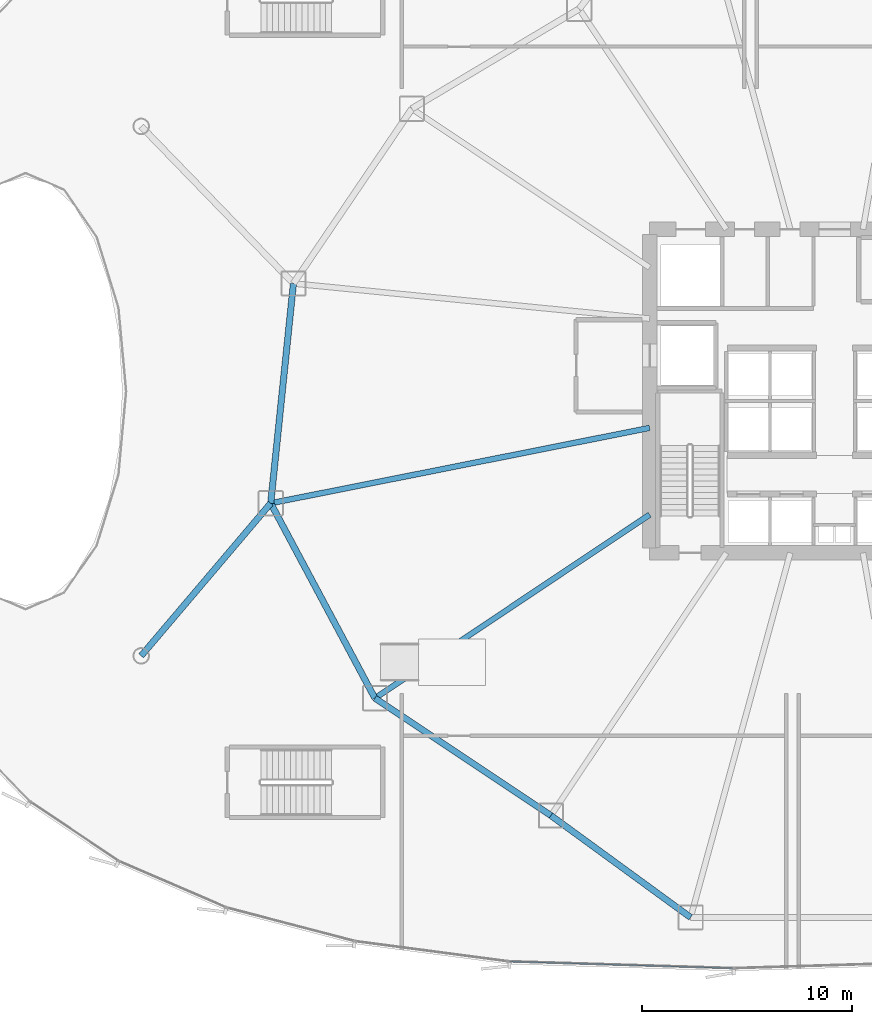
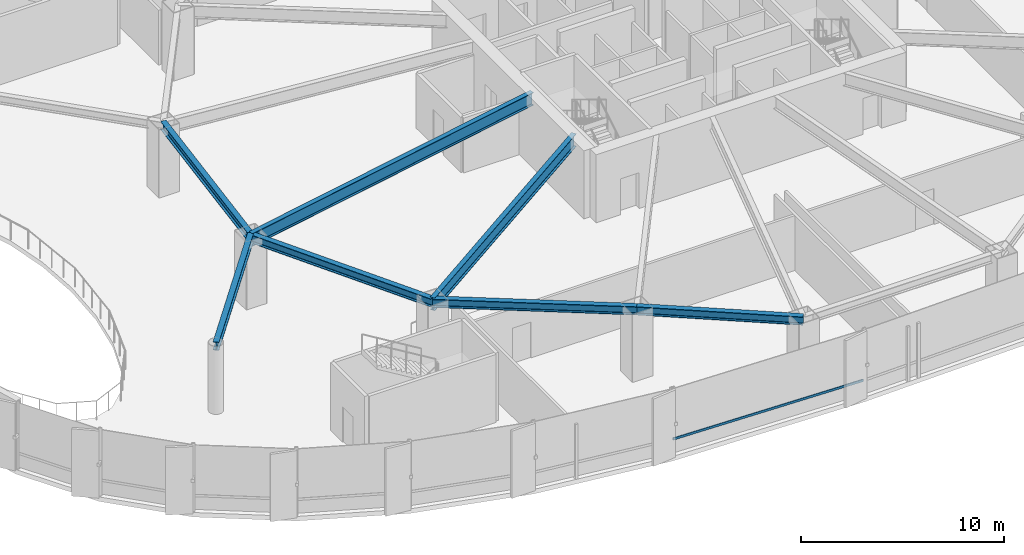
# One storey, part 5 of 34: 7 beams, 1 member, 1 element without a shape of its own.
"""IFC4 building model written with IfcOpenShell, lengths in metres."""

from ifc_helpers import new_model, si_unit, direction, frame, origin, origin_2d, place, context, subcontext, project, spatial, hollow_rectangle, i_section, extrude, source, transform, mapped, material, layer, layer_set, material_profile, profile_set, type_object, element, aggregate, save


model = new_model("IFC4")

# Units and contexts
model_context = context("Model", 3, precision=1e-05, world=origin(), true_north=direction((0.0, 1.0)))
body_context = subcontext(model_context, "Body", "Model", "MODEL_VIEW")
ifc_project = project(units=[si_unit("LENGTHUNIT", "METRE"), si_unit("AREAUNIT", "SQUARE_METRE"), si_unit("VOLUMEUNIT", "CUBIC_METRE"), si_unit("PLANEANGLEUNIT", "RADIAN"), si_unit("MASSUNIT", "GRAM", prefix="KILO"), si_unit("THERMODYNAMICTEMPERATUREUNIT", "KELVIN")], contexts=[model_context])

# Site, building, storey
site_placement = place(None, origin())
site = spatial("IfcSite", under=ifc_project, at=site_placement, CompositionType="ELEMENT")
building_placement = place(site_placement, origin())
building = spatial("IfcBuilding", under=site, at=building_placement, Name="Kethvar Cultural Tower", CompositionType="ELEMENT")
storey_placement = place(building_placement, frame((0.0, 0.0, 19.60009765625)))
storey = spatial("IfcBuildingStorey", under=building, at=storey_placement, Name="L04", CompositionType="ELEMENT", Elevation=19.60009765625)

# Beams
ifc_material_1 = material(Name="Steel S355J2", Category="steel")
ifc_material_profile_1 = material_profile(ifc_material_1, i_section(OverallWidth=0.300048828125, OverallDepth=0.5, WebThickness=0.014404296875, FlangeThickness=0.028076171875, FilletRadius=0.027099609375, at=origin_2d()), Name="Steel S355J2 — HEB500")
ifc_profile_set_1 = profile_set([ifc_material_profile_1], Name="Steel S355J2 — HEB500")
beam_type_1 = type_object("IfcBeamType", Name="BM-SP500", PredefinedType="SPANDREL", material=ifc_profile_set_1)
shared_shape_1 = source(origin(), body_context, "Body", "SweptSolid", [
    extrude(i_section(OverallWidth=0.300048828125, OverallDepth=0.5, WebThickness=0.014404296875, FlangeThickness=0.028076171875, FilletRadius=0.027099609375, at=origin_2d()), origin(), (0.0, 0.0, 1.0), 10.515869140625),
])
beam_1_placement = place(storey_placement, frame((21.047119140625, 32.922607421875, 3.827880859375), z_axis=(-0.102824694973, -0.994699493367, 0.0), x_axis=(0.994699493367, -0.102824694973, 0.0)))
element("IfcBeam", 1, at=beam_1_placement, inside=storey, type_object=beam_type_1, Name="L04 Podium Ring Beam 08", PredefinedType="SPANDREL", context=body_context, shape_type="MappedRepresentation", body=[
    mapped(shared_shape_1, transform((0.0, 0.0, 0.0), scale=1.0)),
])
shared_shape_2 = source(origin(), body_context, "Body", "SweptSolid", [
    extrude(i_section(OverallWidth=0.300048828125, OverallDepth=0.5, WebThickness=0.014404296875, FlangeThickness=0.028076171875, FilletRadius=0.027099609375, at=origin_2d()), origin(), (0.0, 0.0, 1.0), 10.52099609375),
])
beam_2_placement = place(storey_placement, frame((19.9658203125, 22.46240234375, 3.827880859375), z_axis=(0.471339616984, -0.881951793162, 0.0), x_axis=(0.881951793162, 0.471339616984, 0.0)))
element("IfcBeam", 2, at=beam_2_placement, inside=storey, type_object=beam_type_1, Name="L04 Podium Ring Beam 09", PredefinedType="SPANDREL", context=body_context, shape_type="MappedRepresentation", body=[
    mapped(shared_shape_2, transform((0.0, 0.0, 0.0), scale=1.0)),
])
shared_shape_3 = source(origin(), body_context, "Body", "SweptSolid", [
    extrude(i_section(OverallWidth=0.300048828125, OverallDepth=0.5, WebThickness=0.014404296875, FlangeThickness=0.028076171875, FilletRadius=0.027099609375, at=origin_2d()), origin(), (0.0, 0.0, 1.0), 10.06787109375),
])
beam_3_placement = place(storey_placement, frame((24.9248046875, 13.183349609375, 3.827880859375), z_axis=(0.832065216665, -0.554677812083, 0.0), x_axis=(0.554677812083, 0.832065216665, 0.0)))
element("IfcBeam", 3, at=beam_3_placement, inside=storey, type_object=beam_type_1, Name="L04 Podium Ring Beam 10", PredefinedType="SPANDREL", context=body_context, shape_type="MappedRepresentation", body=[
    mapped(shared_shape_3, transform((0.0, 0.0, 0.0), scale=1.0)),
])
shared_shape_4 = source(origin(), body_context, "Body", "SweptSolid", [
    extrude(i_section(OverallWidth=0.300048828125, OverallDepth=0.5, WebThickness=0.014404296875, FlangeThickness=0.028076171875, FilletRadius=0.027099609375, at=origin_2d()), origin(), (0.0, 0.0, 1.0), 8.228515625),
])
beam_4_placement = place(storey_placement, frame((33.302001953125, 7.598876953125, 3.827880859375), z_axis=(0.807925716462, -0.589284342808, 0.0), x_axis=(0.589284342808, 0.807925716462, 0.0)))
element("IfcBeam", 4, at=beam_4_placement, inside=storey, type_object=beam_type_1, Name="L04 Podium Ring Beam 11", PredefinedType="SPANDREL", context=body_context, shape_type="MappedRepresentation", body=[
    mapped(shared_shape_4, transform((0.0, 0.0, 0.0), scale=1.0)),
])
shared_shape_5 = source(origin(), body_context, "Body", "SweptSolid", [
    extrude(i_section(OverallWidth=0.300048828125, OverallDepth=0.5, WebThickness=0.014404296875, FlangeThickness=0.028076171875, FilletRadius=0.027099609375, at=origin_2d()), origin(), (0.0, 0.0, 1.0), 9.52685546875),
])
beam_5_placement = place(storey_placement, frame((13.800048828125, 15.199951171875, 3.827880859375), z_axis=(0.647202724352, 0.762317934717, 0.0), x_axis=(-0.762317934717, 0.647202724352, 0.0)))
element("IfcBeam", 5, at=beam_5_placement, inside=storey, type_object=beam_type_1, Name="L04 West Atrium Wing Beam 01", PredefinedType="SPANDREL", context=body_context, shape_type="MappedRepresentation", body=[
    mapped(shared_shape_5, transform((0.0, 0.0, 0.0), scale=1.0)),
])
ifc_material_profile_2 = material_profile(ifc_material_1, i_section(OverallWidth=0.26708984375, OverallDepth=0.761962890625, WebThickness=0.014404296875, FlangeThickness=0.021484375, FilletRadius=0.01708984375, at=origin_2d()), Name="Steel S355J2 — IPE750x173")
ifc_profile_set_2 = profile_set([ifc_material_profile_2], Name="Steel S355J2 — IPE750x173")
beam_type_2 = type_object("IfcBeamType", Name="BM-IPE750", PredefinedType="BEAM", material=ifc_profile_set_2)
shared_shape_6 = source(origin(), body_context, "Body", "SweptSolid", [
    extrude(i_section(OverallWidth=0.26708984375, OverallDepth=0.761962890625, WebThickness=0.014404296875, FlangeThickness=0.021484375, FilletRadius=0.01708984375, at=origin_2d()), origin(), (0.0, 0.0, 1.0), 18.387451171875),
])
beam_6_placement = place(storey_placement, frame((38.0, 26.049560546875, 3.697021484375), z_axis=(-0.980785937774, -0.195087017162, 0.0), x_axis=(0.195087017162, -0.980785937774, 0.0)))
element("IfcBeam", 6, at=beam_6_placement, inside=storey, type_object=beam_type_2, Name="L04 Podium Radial Girder 09", PredefinedType="BEAM", context=body_context, shape_type="MappedRepresentation", body=[
    mapped(shared_shape_6, transform((0.0, 0.0, 0.0), scale=1.0)),
])
shared_shape_7 = source(origin(), body_context, "Body", "SweptSolid", [
    extrude(i_section(OverallWidth=0.26708984375, OverallDepth=0.761962890625, WebThickness=0.014404296875, FlangeThickness=0.021484375, FilletRadius=0.01708984375, at=origin_2d()), origin(), (0.0, 0.0, 1.0), 15.725341796875),
])
beam_7_placement = place(storey_placement, frame((38.0, 21.919921875, 3.697021484375), z_axis=(-0.831469433959, -0.555570499929, 0.0), x_axis=(0.555570499929, -0.831469433959, 0.0)))
element("IfcBeam", 7, at=beam_7_placement, inside=storey, type_object=beam_type_2, Name="L04 Podium Radial Girder 10", PredefinedType="BEAM", context=body_context, shape_type="MappedRepresentation", body=[
    mapped(shared_shape_7, transform((0.0, 0.0, 0.0), scale=1.0)),
])

# Curtain wall, member
ifc_material_2 = material(Name="Aluminium 6063-T6", Category="aluminium")
ifc_layer = layer(ifc_material_2, 0.179931640625, Name="Aluminium 6063-T6", Category="aluminium")
ifc_layer_set = layer_set([ifc_layer], Name="Aluminium 6063-T6 (180 mm)")
curtain_wall_type = type_object("IfcCurtainWallType", Name="CW-SYS-01-POD", PredefinedType="NOTDEFINED", material=ifc_layer_set)
curtain_wall_placement = place(storey_placement, origin())
curtain_wall = element("IfcCurtainWall", 8, at=curtain_wall_placement, inside=storey, type_object=curtain_wall_type, Name="L04 Curtain Wall Run 05", PredefinedType="NOTDEFINED")
ifc_material_profile_3 = material_profile(ifc_material_2, hollow_rectangle(XDim=0.06005859375, YDim=0.139892578125, WallThickness=0.0048828125, at=origin_2d()), Name="Aluminium 6063-T6 — RHS140x60x5")
ifc_profile_set_3 = profile_set([ifc_material_profile_3], Name="Aluminium 6063-T6 — RHS140x60x5")
member_type = type_object("IfcMemberType", Name="CW-SYS-01-POD-TRN", PredefinedType="USERDEFINED", material=ifc_profile_set_3)
shared_shape_8 = source(origin(), body_context, "Body", "SweptSolid", [
    extrude(hollow_rectangle(XDim=0.06005859375, YDim=0.139892578125, WallThickness=0.0048828125, at=origin_2d()), origin(), (0.0, 0.0, 1.0), 10.61279296875),
])
member_placement = place(storey_placement, frame((31.342041015625, 0.6513671875, 0.949951171875), z_axis=(0.999545810513, -0.030135903608, 0.0), x_axis=(0.030135903608, 0.999545810513, 0.0)))
member = element("IfcMember", 9, at=member_placement, type_object=member_type, Name="CW-L04-R05 Transom 1", ObjectType="TRANSOM", PredefinedType="USERDEFINED", context=body_context, shape_type="MappedRepresentation", body=[
    mapped(shared_shape_8, transform((0.0, 0.0, 0.0), scale=1.0)),
])
aggregate(curtain_wall, [member])

save(model, "model.ifc")
